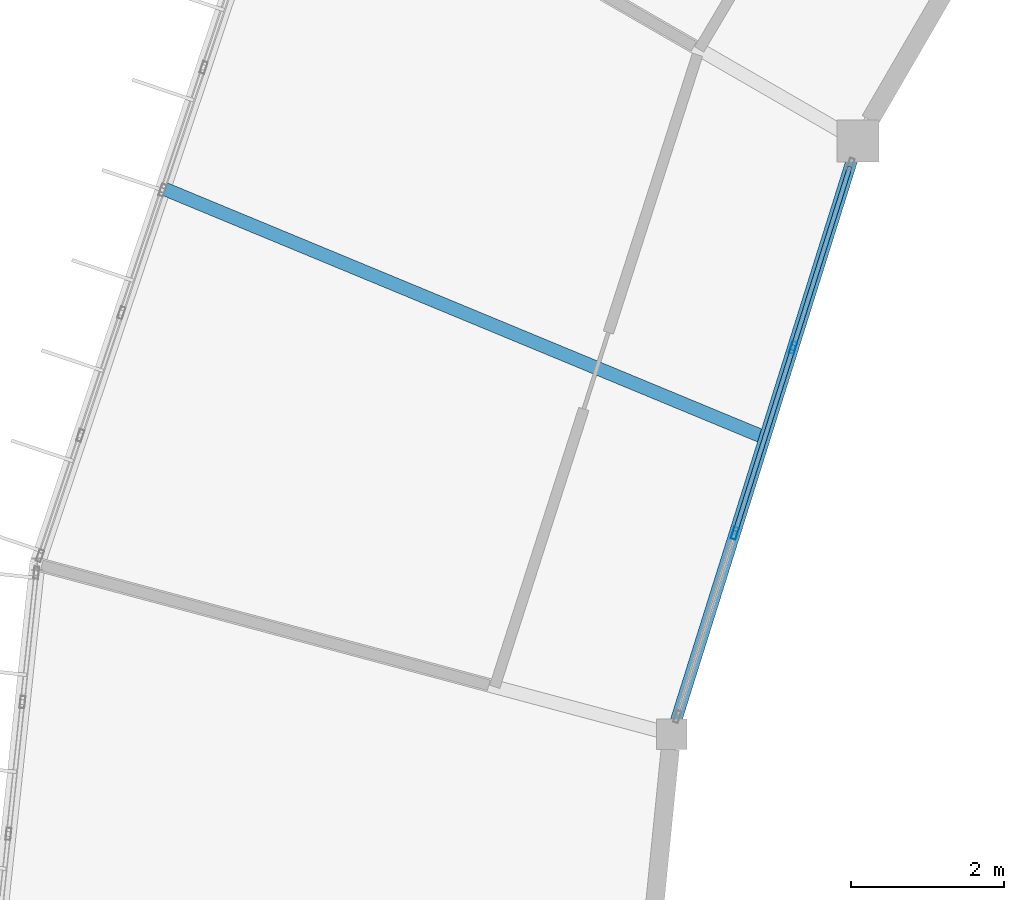
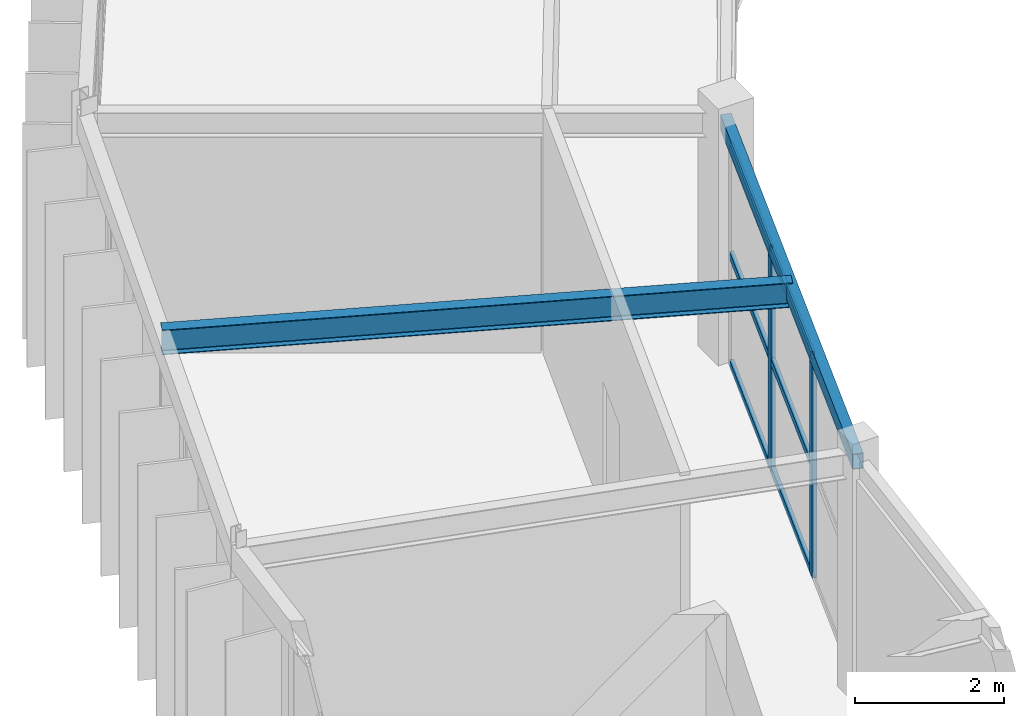
# One storey, part 33 of 106: 8 members, 2 beams, 1 element without a shape of its own.
"""IFC4 building model written with IfcOpenShell, lengths in metres."""

from ifc_helpers import new_model, si_unit, direction, frame, origin, origin_2d, place, context, subcontext, project, spatial, hollow_rectangle, i_section, extrude, material, material_profile, profile_set, type_object, element, aggregate, save


model = new_model("IFC4")

# Units and contexts
model_context = context("Model", 3, precision=1e-05, world=origin(), true_north=direction((0.0, 1.0)))
body_context = subcontext(model_context, "Body", "Model", "MODEL_VIEW")
ifc_project = project(units=[si_unit("LENGTHUNIT", "METRE"), si_unit("AREAUNIT", "SQUARE_METRE"), si_unit("VOLUMEUNIT", "CUBIC_METRE"), si_unit("PLANEANGLEUNIT", "RADIAN"), si_unit("MASSUNIT", "GRAM", prefix="KILO")], contexts=[model_context])

# Site, building, storey
site_placement = place(None, origin())
site = spatial("IfcSite", under=ifc_project, at=site_placement, CompositionType="ELEMENT")
building_placement = place(site_placement, origin())
building = spatial("IfcBuilding", under=site, at=building_placement, Name="Karori Crest Natural Sciences Institute", CompositionType="ELEMENT")
storey_placement = place(building_placement, frame((0.0, 0.0, 25.89990234375)))
storey = spatial("IfcBuildingStorey", under=building, at=storey_placement, Name="L06", CompositionType="ELEMENT", Elevation=25.89990234375)

# Beams
ifc_material_1 = material(Name="Structural steel AS/NZS 3679.1 Grade 350", Category="steel")
ifc_material_profile_1 = material_profile(ifc_material_1, i_section(OverallWidth=0.177978515625, OverallDepth=0.406005859375, WebThickness=0.0078125, FlangeThickness=0.0126953125, FilletRadius=0.010986328125, at=origin_2d()), Name="410UB59.7")
ifc_profile_set_1 = profile_set([ifc_material_profile_1], Name="Structural steel AS/NZS 3679.1 Grade 350")
beam_type_1 = type_object("IfcBeamType", Name="BT-07", PredefinedType="BEAM", material=ifc_profile_set_1)
beam_1_placement = place(storey_placement, frame((44.05029296875, 62.116943359375, 3.739990234375), z_axis=(-0.923879682373, 0.382683070567, 0.0), x_axis=(-0.382683070567, -0.923879682373, 0.0)))
element("IfcBeam", 1, at=beam_1_placement, inside=storey, type_object=beam_type_1, Name="Beam B-2891", PredefinedType="BEAM", context=body_context, shape_type="SweptSolid", body=[
    extrude(i_section(OverallWidth=0.177978515625, OverallDepth=0.406005859375, WebThickness=0.0078125, FlangeThickness=0.0126953125, FilletRadius=0.010986328125, at=origin_2d()), origin(), (0.0, 0.0, 1.0), 8.5263671875),
])
ifc_material_2 = material(Name="Hollow structural steel AS/NZS 1163 Grade C350", Category="steel")
ifc_material_profile_2 = material_profile(ifc_material_2, hollow_rectangle(XDim=0.14990234375, YDim=0.25, WallThickness=0.009033203125, at=origin_2d()), Name="RHS250x150x9")
ifc_profile_set_2 = profile_set([ifc_material_profile_2], Name="Hollow structural steel AS/NZS 1163 Grade C350")
beam_type_2 = type_object("IfcBeamType", Name="BT-16", PredefinedType="SPANDREL", material=ifc_profile_set_2)
beam_2_placement = place(storey_placement, frame((45.26904296875, 66.0, 3.739990234375), z_axis=(-0.299487310016, -0.954100283586, 0.0), x_axis=(0.954100283586, -0.299487310016, 0.0)))
element("IfcBeam", 2, at=beam_2_placement, inside=storey, type_object=beam_type_2, Name="Beam B-0675", PredefinedType="SPANDREL", context=body_context, shape_type="SweptSolid", body=[
    extrude(hollow_rectangle(XDim=0.14990234375, YDim=0.25, WallThickness=0.009033203125, at=origin_2d()), origin(), (0.0, 0.0, 1.0), 8.1396484375),
])

# Curtain wall, members
ifc_material_3 = material(Name="Anodised architectural aluminium 6063-T6", Category="aluminium")
curtain_wall_type = type_object("IfcCurtainWallType", Name="CWT-11", PredefinedType="NOTDEFINED", material=ifc_material_3)
curtain_wall_placement = place(storey_placement, origin())
curtain_wall = element("IfcCurtainWall", 3, at=curtain_wall_placement, inside=storey, type_object=curtain_wall_type, Name="Curtain wall CW-0236", PredefinedType="NOTDEFINED")
ifc_material_profile_3 = material_profile(ifc_material_3, hollow_rectangle(XDim=0.06494140625, YDim=0.159912109375, WallThickness=0.00390625, at=origin_2d()), Name="CWM160x65x4")
ifc_profile_set_3 = profile_set([ifc_material_profile_3], Name="Anodised architectural aluminium 6063-T6")
member_type_1 = type_object("IfcMemberType", Name="CWM-01", PredefinedType="MULLION", material=ifc_profile_set_3)
member_1_placement = place(storey_placement, frame((44.420166015625, 63.29541015625, 0.0), z_axis=(0.0, 0.0, 1.0), x_axis=(0.954104067778, -0.299475254154, 0.0)))
member_1 = element("IfcMember", 4, at=member_1_placement, type_object=member_type_1, Name="CW-0236 mullion 2", PredefinedType="MULLION", context=body_context, shape_type="SweptSolid", body=[
    extrude(hollow_rectangle(XDim=0.06494140625, YDim=0.159912109375, WallThickness=0.00390625, at=origin_2d()), origin(), (0.0, 0.0, 1.0), 3.60009765625),
])
member_2_placement = place(storey_placement, frame((43.65673828125, 60.86376953125, 0.0), z_axis=(0.0, 0.0, 1.0), x_axis=(0.954104067778, -0.299475254154, 0.0)))
member_2 = element("IfcMember", 5, at=member_2_placement, type_object=member_type_1, Name="CW-0236 mullion 3", PredefinedType="MULLION", context=body_context, shape_type="SweptSolid", body=[
    extrude(hollow_rectangle(XDim=0.06494140625, YDim=0.159912109375, WallThickness=0.00390625, at=origin_2d()), origin(), (0.0, 0.0, 1.0), 3.60009765625),
])
ifc_material_profile_4 = material_profile(ifc_material_3, hollow_rectangle(XDim=0.06005859375, YDim=0.1201171875, WallThickness=0.00390625, at=origin_2d()), Name="CWT120x60x4")
ifc_profile_set_4 = profile_set([ifc_material_profile_4], Name="Anodised architectural aluminium 6063-T6")
member_type_2 = type_object("IfcMemberType", Name="CWT-TR1", PredefinedType="USERDEFINED", material=ifc_profile_set_4)
member_3_placement = place(storey_placement, frame((45.163818359375, 65.664794921875, 0.030029296875), z_axis=(-0.299533888531, -0.954085661574, 0.0), x_axis=(0.954085661574, -0.299533888531, 0.0)))
member_3 = element("IfcMember", 6, at=member_3_placement, type_object=member_type_2, Name="CW-0236 transom 1.1", ObjectType="TRANSOM", PredefinedType="USERDEFINED", context=body_context, shape_type="SweptSolid", body=[
    extrude(hollow_rectangle(XDim=0.06005859375, YDim=0.1201171875, WallThickness=0.00390625, at=origin_2d()), origin(), (0.0, 0.0, 1.0), 2.450927734375),
])
member_4_placement = place(storey_placement, frame((45.163818359375, 65.664794921875, 1.800048828125), z_axis=(-0.299533888531, -0.954085661574, 0.0), x_axis=(0.954085661574, -0.299533888531, 0.0)))
member_4 = element("IfcMember", 7, at=member_4_placement, type_object=member_type_2, Name="CW-0236 transom 1.2", ObjectType="TRANSOM", PredefinedType="USERDEFINED", context=body_context, shape_type="SweptSolid", body=[
    extrude(hollow_rectangle(XDim=0.06005859375, YDim=0.1201171875, WallThickness=0.00390625, at=origin_2d()), origin(), (0.0, 0.0, 1.0), 2.450927734375),
])
member_5_placement = place(storey_placement, frame((45.163818359375, 65.664794921875, 3.570068359375), z_axis=(-0.299533888531, -0.954085661574, 0.0), x_axis=(0.954085661574, -0.299533888531, 0.0)))
member_5 = element("IfcMember", 8, at=member_5_placement, type_object=member_type_2, Name="CW-0236 transom 1.3", ObjectType="TRANSOM", PredefinedType="USERDEFINED", context=body_context, shape_type="SweptSolid", body=[
    extrude(hollow_rectangle(XDim=0.06005859375, YDim=0.1201171875, WallThickness=0.00390625, at=origin_2d()), origin(), (0.0, 0.0, 1.0), 2.450927734375),
])
member_6_placement = place(storey_placement, frame((44.410400390625, 63.264404296875, 0.030029296875), z_axis=(-0.299517296731, -0.954090870389, 0.0), x_axis=(0.954090870389, -0.299517296731, 0.0)))
member_6 = element("IfcMember", 9, at=member_6_placement, type_object=member_type_2, Name="CW-0236 transom 2.1", ObjectType="TRANSOM", PredefinedType="USERDEFINED", context=body_context, shape_type="SweptSolid", body=[
    extrude(hollow_rectangle(XDim=0.06005859375, YDim=0.1201171875, WallThickness=0.00390625, at=origin_2d()), origin(), (0.0, 0.0, 1.0), 2.483642578125),
])
member_7_placement = place(storey_placement, frame((44.410400390625, 63.264404296875, 1.800048828125), z_axis=(-0.299517296731, -0.954090870389, 0.0), x_axis=(0.954090870389, -0.299517296731, 0.0)))
member_7 = element("IfcMember", 10, at=member_7_placement, type_object=member_type_2, Name="CW-0236 transom 2.2", ObjectType="TRANSOM", PredefinedType="USERDEFINED", context=body_context, shape_type="SweptSolid", body=[
    extrude(hollow_rectangle(XDim=0.06005859375, YDim=0.1201171875, WallThickness=0.00390625, at=origin_2d()), origin(), (0.0, 0.0, 1.0), 2.483642578125),
])
member_8_placement = place(storey_placement, frame((44.410400390625, 63.264404296875, 3.570068359375), z_axis=(-0.299517296731, -0.954090870389, 0.0), x_axis=(0.954090870389, -0.299517296731, 0.0)))
member_8 = element("IfcMember", 11, at=member_8_placement, type_object=member_type_2, Name="CW-0236 transom 2.3", ObjectType="TRANSOM", PredefinedType="USERDEFINED", context=body_context, shape_type="SweptSolid", body=[
    extrude(hollow_rectangle(XDim=0.06005859375, YDim=0.1201171875, WallThickness=0.00390625, at=origin_2d()), origin(), (0.0, 0.0, 1.0), 2.483642578125),
])
aggregate(curtain_wall, [member_1, member_2, member_3, member_4, member_5, member_6, member_7, member_8])

save(model, "model.ifc")
